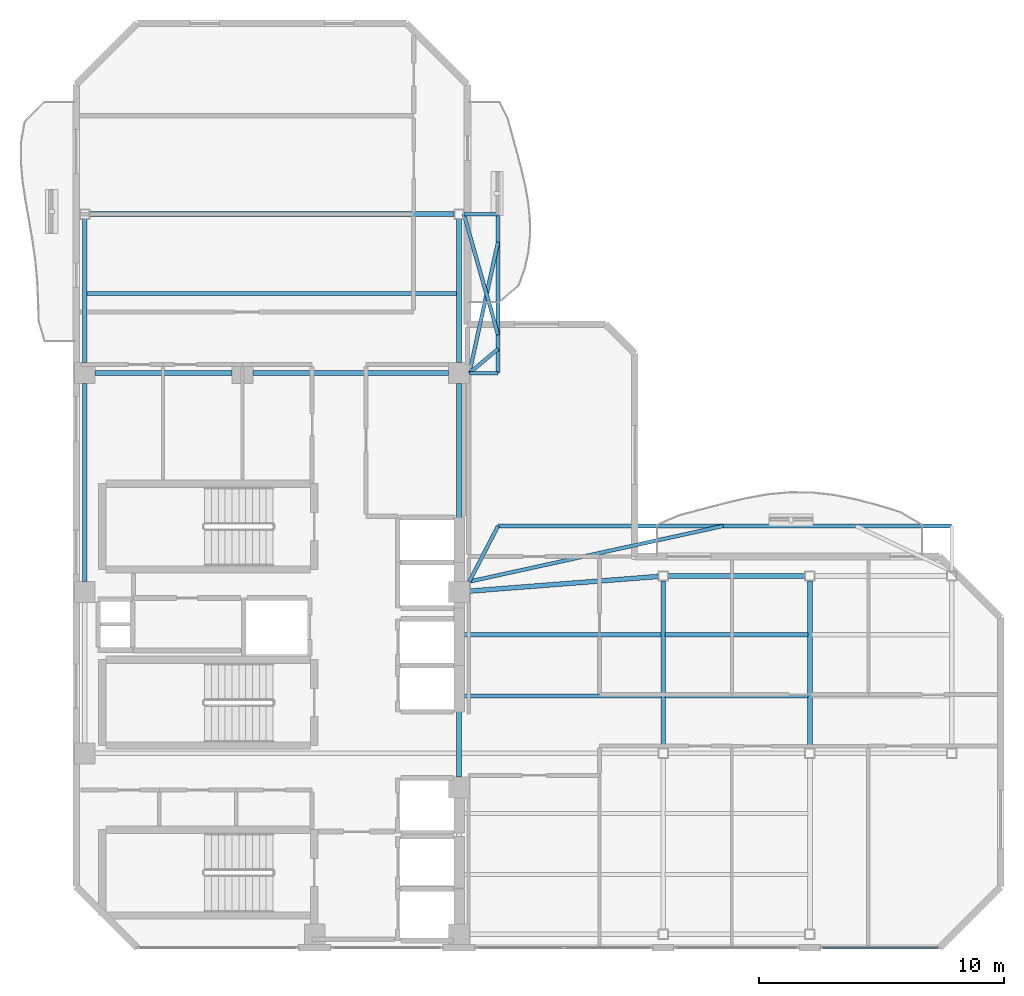
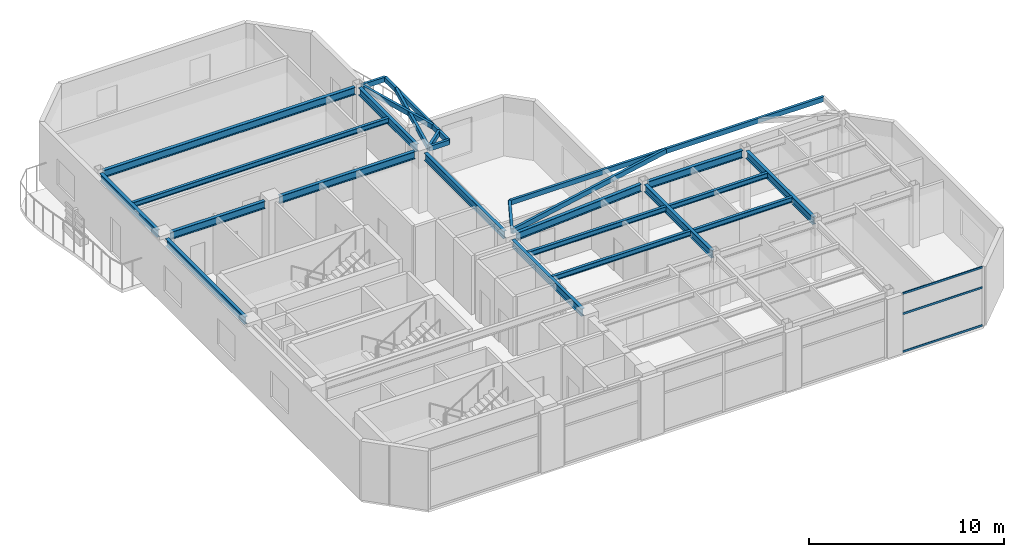
# One storey, part 6 of 14: 26 beams, 3 members, 1 element without a shape of its own.
"""IFC4 building model written with IfcOpenShell, lengths in metres."""

from ifc_helpers import new_model, si_unit, direction, frame, origin, origin_2d, place, context, subcontext, project, spatial, hollow_rectangle, i_section, extrude, material, layer, layer_set, material_profile, profile_set, type_object, element, aggregate, save


model = new_model("IFC4")

# Units and contexts
model_context = context("Model", 3, precision=1e-05, world=origin(), true_north=direction((0.0, 1.0)))
body_context = subcontext(model_context, "Body", "Model", "MODEL_VIEW")
ifc_project = project(units=[si_unit("LENGTHUNIT", "METRE"), si_unit("AREAUNIT", "SQUARE_METRE"), si_unit("VOLUMEUNIT", "CUBIC_METRE"), si_unit("PLANEANGLEUNIT", "RADIAN"), si_unit("MASSUNIT", "GRAM", prefix="KILO")], contexts=[model_context])

# Site, building, storey
site_placement = place(None, origin())
site = spatial("IfcSite", under=ifc_project, at=site_placement, CompositionType="ELEMENT")
building_placement = place(site_placement, origin())
building = spatial("IfcBuilding", under=site, at=building_placement, Name="Mawjaban Terraces University", CompositionType="ELEMENT")
storey_placement = place(building_placement, frame((0.0, 0.0, 256.0)))
storey = spatial("IfcBuildingStorey", under=building, at=storey_placement, Name="L62", CompositionType="ELEMENT", Elevation=256.0)

# Beams
ifc_material_1 = material(Name="Steel EN 10210-1 S355J2H", Category="steel")
ifc_material_profile_1 = material_profile(ifc_material_1, hollow_rectangle(XDim=0.14990234375, YDim=0.300048828125, WallThickness=0.012451171875, at=origin_2d()), Name="RHS300X150X12.5")
ifc_profile_set_1 = profile_set([ifc_material_profile_1], Name="Steel EN 10210-1 S355J2H")
beam_type_1 = type_object("IfcBeamType", Name="BalconyCantileverSpandrel_RHS", PredefinedType="SPANDREL", material=ifc_profile_set_1)
beam_1_placement = place(storey_placement, frame((38.074951171875, 14.97509765625, 3.5400390625), z_axis=(0.458922210771, 0.88847645127, 0.0), x_axis=(-0.88847645127, 0.458922210771, 0.0)))
element("IfcBeam", 1, at=beam_1_placement, inside=storey, type_object=beam_type_1, Name="L62 Corner Outrigger BAL-L63-N", PredefinedType="SPANDREL", context=body_context, shape_type="SweptSolid", body=[
    extrude(hollow_rectangle(XDim=0.14990234375, YDim=0.300048828125, WallThickness=0.012451171875, at=origin_2d()), origin(), (0.0, 0.0, 1.0), 2.560546875),
])
beam_2_placement = place(storey_placement, frame((39.25, 17.25, 3.5400390625), z_axis=(1.0, 0.0, 0.0), x_axis=(0.0, 1.0, 0.0)))
element("IfcBeam", 2, at=beam_2_placement, inside=storey, type_object=beam_type_1, Name="L62 Exterior Edge Spandrel BAL-L63-N", PredefinedType="SPANDREL", context=body_context, shape_type="SweptSolid", body=[
    extrude(hollow_rectangle(XDim=0.14990234375, YDim=0.300048828125, WallThickness=0.012451171875, at=origin_2d()), origin(), (0.0, 0.0, 1.0), 18.550048828125),
])
beam_3_placement = place(storey_placement, frame((38.074951171875, 14.97509765625, 3.5400390625), z_axis=(0.97681645873, 0.214078504185, 0.0), x_axis=(-0.214078504185, 0.97681645873, 0.0)))
element("IfcBeam", 3, at=beam_3_placement, inside=storey, type_object=beam_type_1, Name="L62 Exterior Diagonal Strut BAL-L63-N.1", PredefinedType="SPANDREL", context=body_context, shape_type="SweptSolid", body=[
    extrude(hollow_rectangle(XDim=0.14990234375, YDim=0.300048828125, WallThickness=0.012451171875, at=origin_2d()), origin(), (0.0, 0.0, 1.0), 10.62646484375),
])
beam_4_placement = place(storey_placement, frame((38.074951171875, 23.5, 3.5400390625), z_axis=(1.0, 0.0, 0.0), x_axis=(0.0, 1.0, 0.0)))
element("IfcBeam", 4, at=beam_4_placement, inside=storey, type_object=beam_type_1, Name="L62 Exterior Outrigger BAL-L63-E.1", PredefinedType="SPANDREL", context=body_context, shape_type="SweptSolid", body=[
    extrude(hollow_rectangle(XDim=0.14990234375, YDim=0.300048828125, WallThickness=0.012451171875, at=origin_2d()), origin(), (0.0, 0.0, 1.0), 1.175048828125),
])
beam_5_placement = place(storey_placement, frame((37.85009765625, 30.0, 3.5400390625), z_axis=(1.0, 0.0, 0.0), x_axis=(0.0, 1.0, 0.0)))
element("IfcBeam", 5, at=beam_5_placement, inside=storey, type_object=beam_type_1, Name="L62 Exterior Outrigger BAL-L63-E.2", PredefinedType="SPANDREL", context=body_context, shape_type="SweptSolid", body=[
    extrude(hollow_rectangle(XDim=0.14990234375, YDim=0.300048828125, WallThickness=0.012451171875, at=origin_2d()), origin(), (0.0, 0.0, 1.0), 1.39990234375),
])
beam_6_placement = place(storey_placement, frame((39.25, 23.5, 3.5400390625), z_axis=(0.0, 1.0, 0.0), x_axis=(-1.0, 0.0, 0.0)))
element("IfcBeam", 6, at=beam_6_placement, inside=storey, type_object=beam_type_1, Name="L62 Exterior Edge Spandrel BAL-L63-E", PredefinedType="SPANDREL", context=body_context, shape_type="SweptSolid", body=[
    extrude(hollow_rectangle(XDim=0.14990234375, YDim=0.300048828125, WallThickness=0.012451171875, at=origin_2d()), origin(), (0.0, 0.0, 1.0), 6.5),
])
beam_7_placement = place(storey_placement, frame((38.074951171875, 23.5, 3.5400390625), z_axis=(0.214136046933, 0.97680384592, 0.0), x_axis=(-0.97680384592, 0.214136046933, 0.0)))
element("IfcBeam", 7, at=beam_7_placement, inside=storey, type_object=beam_type_1, Name="L62 Exterior Diagonal Strut BAL-L63-E.1", PredefinedType="SPANDREL", context=body_context, shape_type="SweptSolid", body=[
    extrude(hollow_rectangle(XDim=0.14990234375, YDim=0.300048828125, WallThickness=0.012451171875, at=origin_2d()), origin(), (0.0, 0.0, 1.0), 5.4873046875),
])
beam_8_placement = place(storey_placement, frame((38.074951171875, 23.5, 3.5400390625), z_axis=(0.766325555216, 0.642452444483, 0.0), x_axis=(-0.642452444483, 0.766325555216, 0.0)))
element("IfcBeam", 8, at=beam_8_placement, inside=storey, type_object=beam_type_1, Name="L62 Exterior Diagonal Strut TER-L63-CLIMB.1", PredefinedType="SPANDREL", context=body_context, shape_type="SweptSolid", body=[
    extrude(hollow_rectangle(XDim=0.14990234375, YDim=0.300048828125, WallThickness=0.012451171875, at=origin_2d()), origin(), (0.0, 0.0, 1.0), 1.533447265625),
])
beam_9_placement = place(storey_placement, frame((37.85009765625, 30.0, 3.5400390625), z_axis=(0.272897736008, -0.962043047728, 0.0), x_axis=(0.962043047728, 0.272897736008, 0.0)))
element("IfcBeam", 9, at=beam_9_placement, inside=storey, type_object=beam_type_1, Name="L62 Exterior Diagonal Strut TER-L63-CLIMB.2", PredefinedType="SPANDREL", context=body_context, shape_type="SweptSolid", body=[
    extrude(hollow_rectangle(XDim=0.14990234375, YDim=0.300048828125, WallThickness=0.012451171875, at=origin_2d()), origin(), (0.0, 0.0, 1.0), 5.1298828125),
])
ifc_material_2 = material(Name="Steel ASTM A572 Grade 50", Category="steel")
ifc_material_profile_2 = material_profile(ifc_material_2, i_section(OverallWidth=0.194091796875, OverallDepth=0.468994140625, WebThickness=0.011474609375, FlangeThickness=0.0205078125, at=origin_2d()), Name="W460X106")
ifc_profile_set_2 = profile_set([ifc_material_profile_2], Name="Steel ASTM A572 Grade 50")
beam_type_2 = type_object("IfcBeamType", Name="Beam_B_W460X106", PredefinedType="BEAM", material=ifc_profile_set_2)
for number, where, z_axis, x_axis, name in (
    (10, (46.199951171875, 15.199951171875, 3.455078125), (1.0, 0.0, 0.0), (0.0, 1.0, 0.0), "L62 Beam BM-L62-EW-06"),
    (11, (22.77490234375, 23.5, 3.455078125), (1.0, 0.0, 0.0), (0.0, 1.0, 0.0), "L62 Beam BM-L62-EW-08"),
):
    element("IfcBeam", number, at=place(storey_placement, frame(where, z_axis=z_axis, x_axis=x_axis)), inside=storey, type_object=beam_type_2, Name=name, PredefinedType="BEAM", context=body_context, shape_type="SweptSolid", body=[
        extrude(i_section(OverallWidth=0.194091796875, OverallDepth=0.468994140625, WebThickness=0.011474609375, FlangeThickness=0.0205078125, at=origin_2d()), origin(), (0.0, 0.0, 1.0), 5.60009765625),
    ])
beam_10_placement = place(storey_placement, frame((29.22509765625, 23.5, 3.455078125), z_axis=(1.0, 0.0, 0.0), x_axis=(0.0, 1.0, 0.0)))
element("IfcBeam", 12, at=beam_10_placement, inside=storey, type_object=beam_type_2, Name="L62 Beam BM-L62-EW-09", PredefinedType="BEAM", context=body_context, shape_type="SweptSolid", body=[
    extrude(i_section(OverallWidth=0.194091796875, OverallDepth=0.468994140625, WebThickness=0.011474609375, FlangeThickness=0.0205078125, at=origin_2d()), origin(), (0.0, 0.0, 1.0), 8.0),
])
beam_11_placement = place(storey_placement, frame((22.550048828125, 30.0, 3.455078125), z_axis=(1.0, 0.0, 0.0), x_axis=(0.0, 1.0, 0.0)))
element("IfcBeam", 13, at=beam_11_placement, inside=storey, type_object=beam_type_2, Name="L62 Beam BM-L62-EW-10", PredefinedType="BEAM", context=body_context, shape_type="SweptSolid", body=[
    extrude(i_section(OverallWidth=0.194091796875, OverallDepth=0.468994140625, WebThickness=0.011474609375, FlangeThickness=0.0205078125, at=origin_2d()), origin(), (0.0, 0.0, 1.0), 14.89990234375),
])
beam_12_placement = place(storey_placement, frame((22.35009765625, 14.97509765625, 3.455078125), z_axis=(0.0, 1.0, 0.0), x_axis=(-1.0, 0.0, 0.0)))
element("IfcBeam", 14, at=beam_12_placement, inside=storey, type_object=beam_type_2, Name="L62 Beam BM-L62-NS-02", PredefinedType="BEAM", context=body_context, shape_type="SweptSolid", body=[
    extrude(i_section(OverallWidth=0.194091796875, OverallDepth=0.468994140625, WebThickness=0.011474609375, FlangeThickness=0.0205078125, at=origin_2d()), origin(), (0.0, 0.0, 1.0), 8.099853515625),
])
beam_13_placement = place(storey_placement, frame((22.35009765625, 23.925048828125, 3.455078125), z_axis=(0.0, 1.0, 0.0), x_axis=(-1.0, 0.0, 0.0)))
element("IfcBeam", 15, at=beam_13_placement, inside=storey, type_object=beam_type_2, Name="L62 Beam BM-L62-NS-03", PredefinedType="BEAM", context=body_context, shape_type="SweptSolid", body=[
    extrude(i_section(OverallWidth=0.194091796875, OverallDepth=0.468994140625, WebThickness=0.011474609375, FlangeThickness=0.0205078125, at=origin_2d()), origin(), (0.0, 0.0, 1.0), 5.875),
])
beam_14_placement = place(storey_placement, frame((37.64990234375, 6.97509765625, 3.455078125), z_axis=(0.0, 1.0, 0.0), x_axis=(-1.0, 0.0, 0.0)))
element("IfcBeam", 16, at=beam_14_placement, inside=storey, type_object=beam_type_2, Name="L62 Beam BM-L62-NS-05", PredefinedType="BEAM", context=body_context, shape_type="SweptSolid", body=[
    extrude(i_section(OverallWidth=0.194091796875, OverallDepth=0.468994140625, WebThickness=0.011474609375, FlangeThickness=0.0205078125, at=origin_2d()), origin(), (0.0, 0.0, 1.0), 7.14990234375),
])
beam_15_placement = place(storey_placement, frame((37.64990234375, 14.97509765625, 3.455078125), z_axis=(0.0, 1.0, 0.0), x_axis=(-1.0, 0.0, 0.0)))
element("IfcBeam", 17, at=beam_15_placement, inside=storey, type_object=beam_type_2, Name="L62 Beam BM-L62-NS-06", PredefinedType="BEAM", context=body_context, shape_type="SweptSolid", body=[
    extrude(i_section(OverallWidth=0.194091796875, OverallDepth=0.468994140625, WebThickness=0.011474609375, FlangeThickness=0.0205078125, at=origin_2d()), origin(), (0.0, 0.0, 1.0), 8.099853515625),
])
beam_16_placement = place(storey_placement, frame((37.64990234375, 23.925048828125, 3.455078125), z_axis=(0.0, 1.0, 0.0), x_axis=(-1.0, 0.0, 0.0)))
element("IfcBeam", 18, at=beam_16_placement, inside=storey, type_object=beam_type_2, Name="L62 Beam BM-L62-NS-07", PredefinedType="BEAM", context=body_context, shape_type="SweptSolid", body=[
    extrude(i_section(OverallWidth=0.194091796875, OverallDepth=0.468994140625, WebThickness=0.011474609375, FlangeThickness=0.0205078125, at=origin_2d()), origin(), (0.0, 0.0, 1.0), 5.875),
])
for number, where, z_axis, x_axis, name in (
    (19, (46.0, 8.14990234375, 3.455078125), (0.0, 1.0, 0.0), (-1.0, 0.0, 0.0), "L62 Beam BM-L62-NS-09"),
    (20, (52.0, 8.14990234375, 3.455078125), (0.0, 1.0, 0.0), (-1.0, 0.0, 0.0), "L62 Beam BM-L62-NS-11"),
):
    element("IfcBeam", number, at=place(storey_placement, frame(where, z_axis=z_axis, x_axis=x_axis)), inside=storey, type_object=beam_type_2, Name=name, PredefinedType="BEAM", context=body_context, shape_type="SweptSolid", body=[
        extrude(i_section(OverallWidth=0.194091796875, OverallDepth=0.468994140625, WebThickness=0.011474609375, FlangeThickness=0.0205078125, at=origin_2d()), origin(), (0.0, 0.0, 1.0), 6.85009765625),
    ])
beam_17_placement = place(storey_placement, frame((38.073974609375, 14.5830078125, 3.455078125), z_axis=(0.996988151141, 0.077554023005, 0.0), x_axis=(-0.077554023005, 0.996988151141, 0.0)))
element("IfcBeam", 21, at=beam_17_placement, inside=storey, type_object=beam_type_2, Name="L62 Beam BM-L62-CTIE", PredefinedType="BEAM", context=body_context, shape_type="SweptSolid", body=[
    extrude(i_section(OverallWidth=0.194091796875, OverallDepth=0.468994140625, WebThickness=0.011474609375, FlangeThickness=0.0205078125, at=origin_2d()), origin(), (0.0, 0.0, 1.0), 7.75048828125),
])
ifc_material_profile_3 = material_profile(ifc_material_2, i_section(OverallWidth=0.1669921875, OverallDepth=0.318115234375, WebThickness=0.007568359375, FlangeThickness=0.01318359375, at=origin_2d()), Name="W310X52")
ifc_profile_set_3 = profile_set([ifc_material_profile_3], Name="Steel ASTM A572 Grade 50")
beam_type_3 = type_object("IfcBeamType", Name="Beam_J_W310X52", PredefinedType="JOIST", material=ifc_profile_set_3)
beam_18_placement = place(storey_placement, frame((37.72998046875, 10.300048828125, 3.531005859375), z_axis=(1.0, 0.0, 0.0), x_axis=(0.0, 1.0, 0.0)))
element("IfcBeam", 22, at=beam_18_placement, inside=storey, type_object=beam_type_3, Name="L62 Composite Joist JST-L62-05", PredefinedType="JOIST", context=body_context, shape_type="SweptSolid", body=[
    extrude(i_section(OverallWidth=0.1669921875, OverallDepth=0.318115234375, WebThickness=0.007568359375, FlangeThickness=0.01318359375, at=origin_2d()), origin(), (0.0, 0.0, 1.0), 8.18994140625),
])
beam_19_placement = place(storey_placement, frame((46.080078125, 10.300048828125, 3.531005859375), z_axis=(1.0, 0.0, 0.0), x_axis=(0.0, 1.0, 0.0)))
element("IfcBeam", 23, at=beam_19_placement, inside=storey, type_object=beam_type_3, Name="L62 Composite Joist JST-L62-06", PredefinedType="JOIST", context=body_context, shape_type="SweptSolid", body=[
    extrude(i_section(OverallWidth=0.1669921875, OverallDepth=0.318115234375, WebThickness=0.007568359375, FlangeThickness=0.01318359375, at=origin_2d()), origin(), (0.0, 0.0, 1.0), 5.83984375),
])
beam_20_placement = place(storey_placement, frame((37.72998046875, 12.800048828125, 3.531005859375), z_axis=(1.0, 0.0, 0.0), x_axis=(0.0, 1.0, 0.0)))
element("IfcBeam", 24, at=beam_20_placement, inside=storey, type_object=beam_type_3, Name="L62 Composite Joist JST-L62-08", PredefinedType="JOIST", context=body_context, shape_type="SweptSolid", body=[
    extrude(i_section(OverallWidth=0.1669921875, OverallDepth=0.318115234375, WebThickness=0.007568359375, FlangeThickness=0.01318359375, at=origin_2d()), origin(), (0.0, 0.0, 1.0), 8.18994140625),
])
beam_21_placement = place(storey_placement, frame((46.080078125, 12.800048828125, 3.531005859375), z_axis=(1.0, 0.0, 0.0), x_axis=(0.0, 1.0, 0.0)))
element("IfcBeam", 25, at=beam_21_placement, inside=storey, type_object=beam_type_3, Name="L62 Composite Joist JST-L62-09", PredefinedType="JOIST", context=body_context, shape_type="SweptSolid", body=[
    extrude(i_section(OverallWidth=0.1669921875, OverallDepth=0.318115234375, WebThickness=0.007568359375, FlangeThickness=0.01318359375, at=origin_2d()), origin(), (0.0, 0.0, 1.0), 5.83984375),
])
beam_22_placement = place(storey_placement, frame((22.429931640625, 26.75, 3.531005859375), z_axis=(1.0, 0.0, 0.0), x_axis=(0.0, 1.0, 0.0)))
element("IfcBeam", 26, at=beam_22_placement, inside=storey, type_object=beam_type_3, Name="L62 Composite Joist JST-L62-11", PredefinedType="JOIST", context=body_context, shape_type="SweptSolid", body=[
    extrude(i_section(OverallWidth=0.1669921875, OverallDepth=0.318115234375, WebThickness=0.007568359375, FlangeThickness=0.01318359375, at=origin_2d()), origin(), (0.0, 0.0, 1.0), 15.14013671875),
])

# Curtain wall, members
ifc_material_3 = material(Name="Anodised aluminium 6063-T6 and solar-control low-E glass", Category="aluminium")
ifc_layer = layer(ifc_material_3, 0.159912109375)
ifc_layer_set = layer_set([ifc_layer], Name="Anodised aluminium 6063-T6 and solar-control low-E glass")
curtain_wall_type = type_object("IfcCurtainWallType", Name="CWSystem_03_NorthWing", PredefinedType="NOTDEFINED", material=ifc_layer_set)
curtain_wall_placement = place(storey_placement, origin())
curtain_wall = element("IfcCurtainWall", 27, at=curtain_wall_placement, inside=storey, type_object=curtain_wall_type, Name="L62 Curtain Wall CW-03 Run 1.5", PredefinedType="NOTDEFINED")
ifc_material_4 = material(Name="Anodised aluminium 6063-T6", Category="aluminium")
ifc_material_profile_4 = material_profile(ifc_material_4, hollow_rectangle(XDim=0.06005859375, YDim=0.1201171875, WallThickness=0.00341796875, at=origin_2d()), Name="ALU120X60X3.5")
ifc_profile_set_4 = profile_set([ifc_material_profile_4], Name="Anodised aluminium 6063-T6")
member_type = type_object("IfcMemberType", Name="Transom_CW-03", PredefinedType="NOTDEFINED", material=ifc_profile_set_4)
member_1_placement = place(storey_placement, frame((52.514892578125, 0.0, 0.030029296875), z_axis=(1.0, 0.0, 0.0), x_axis=(0.0, 1.0, 0.0)))
member_1 = element("IfcMember", 28, at=member_1_placement, type_object=member_type, Name="CW-03 transom 1.1", ObjectType="TRANSOM", PredefinedType="USERDEFINED", context=body_context, shape_type="SweptSolid", body=[
    extrude(hollow_rectangle(XDim=0.06005859375, YDim=0.1201171875, WallThickness=0.00341796875, at=origin_2d()), origin(), (0.0, 0.0, 1.0), 4.72021484375),
])
member_2_placement = place(storey_placement, frame((52.514892578125, 0.0, 2.39892578125), z_axis=(1.0, 0.0, 0.0), x_axis=(0.0, 1.0, 0.0)))
member_2 = element("IfcMember", 29, at=member_2_placement, type_object=member_type, Name="CW-03 transom 1.2", ObjectType="TRANSOM", PredefinedType="USERDEFINED", context=body_context, shape_type="SweptSolid", body=[
    extrude(hollow_rectangle(XDim=0.06005859375, YDim=0.1201171875, WallThickness=0.00341796875, at=origin_2d()), origin(), (0.0, 0.0, 1.0), 4.72021484375),
])
member_3_placement = place(storey_placement, frame((52.514892578125, 0.0, 3.659912109375), z_axis=(1.0, 0.0, 0.0), x_axis=(0.0, 1.0, 0.0)))
member_3 = element("IfcMember", 30, at=member_3_placement, type_object=member_type, Name="CW-03 transom 1.3", ObjectType="TRANSOM", PredefinedType="USERDEFINED", context=body_context, shape_type="SweptSolid", body=[
    extrude(hollow_rectangle(XDim=0.06005859375, YDim=0.1201171875, WallThickness=0.00341796875, at=origin_2d()), origin(), (0.0, 0.0, 1.0), 4.72021484375),
])
aggregate(curtain_wall, [member_1, member_2, member_3])

save(model, "model.ifc")
